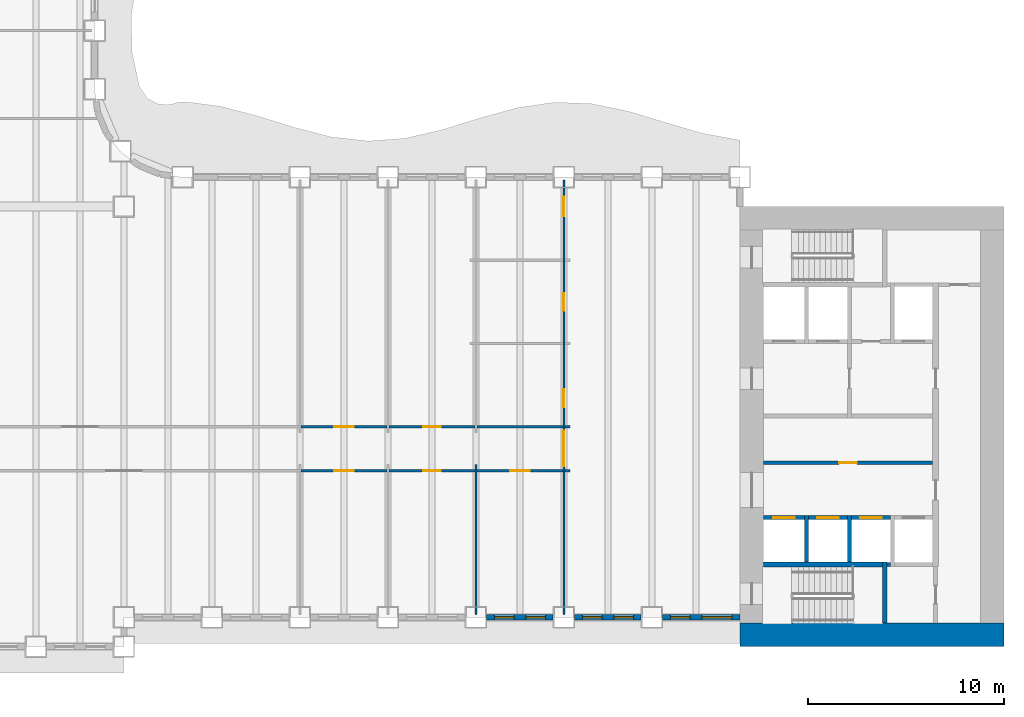
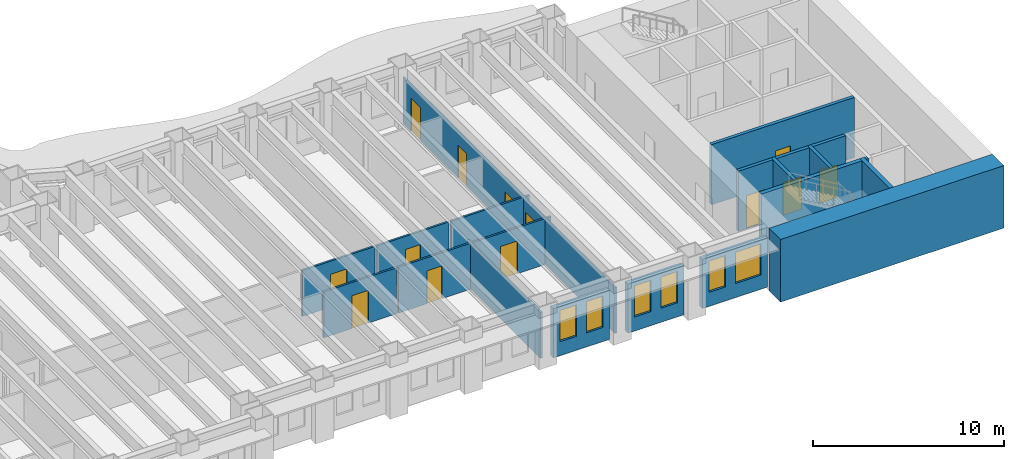
# One storey, part 5 of 15: 23 walls, 13 doors, 6 windows, 19 openings.
"""IFC4 building model written with IfcOpenShell, lengths in metres."""

from ifc_helpers import new_model, si_unit, direction, frame, frame_2d, origin, place, context, subcontext, project, spatial, rectangle, extrude, material, layer, layer_set, type_object, element, fill, save


model = new_model("IFC4")

# Units and contexts
model_context = context("Model", 3, precision=1e-05, world=origin(), true_north=direction((0.0, 1.0)))
body_context = subcontext(model_context, "Body", "Model", "MODEL_VIEW")
ifc_project = project(units=[si_unit("LENGTHUNIT", "METRE"), si_unit("AREAUNIT", "SQUARE_METRE"), si_unit("VOLUMEUNIT", "CUBIC_METRE"), si_unit("PLANEANGLEUNIT", "RADIAN"), si_unit("MASSUNIT", "GRAM", prefix="KILO")], contexts=[model_context])

# Site, building, storey
site_placement = place(None, origin())
site = spatial("IfcSite", under=ifc_project, at=site_placement, CompositionType="ELEMENT")
building_placement = place(site_placement, origin())
building = spatial("IfcBuilding", under=site, at=building_placement, Name="Sennacour Bend Tower", CompositionType="ELEMENT")
storey_placement = place(building_placement, frame((0.0, 0.0, 65.0)))
storey = spatial("IfcBuildingStorey", under=building, at=storey_placement, Name="L14", CompositionType="ELEMENT", Elevation=65.0)

# Walls
ifc_material_1 = material(Name="Concrete C80/95", Category="concrete")
ifc_layer_1 = layer(ifc_material_1, 1.199951171875, Name="Concrete C80/95", Category="concrete")
ifc_layer_set_1 = layer_set([ifc_layer_1], Name="Concrete C80/95")
wall_type_1 = type_object("IfcWallType", Name="Core wall 1200 C80/95", PredefinedType="SHEAR", material=ifc_layer_set_1)
wall_1_placement = place(storey_placement, frame((67.5, 0.60009765625, -0.14990234375), z_axis=(0.0, 0.0, 1.0), x_axis=(-1.0, 0.0, 0.0)))
element("IfcWall", 1, at=wall_1_placement, inside=storey, type_object=wall_type_1, Name="Core A wall L14 S", PredefinedType="SHEAR", context=body_context, shape_type="SweptSolid", body=[
    extrude(rectangle(XDim=13.5, YDim=1.199951171875, at=frame_2d((6.75, 0.0))), origin(), (0.0, 0.0, 1.0), 4.0),
])
ifc_material_2 = material(Name="Plasterboard partition on steel studs", Category="steel")
ifc_layer_2 = layer(ifc_material_2, 0.1201171875, Name="Plasterboard partition on steel studs", Category="steel")
ifc_layer_set_2 = layer_set([ifc_layer_2], Name="Plasterboard partition on steel studs")
wall_type_2 = type_object("IfcWallType", Name="Partition 120", PredefinedType="PARTITIONING", material=ifc_layer_set_2)
wall_2_placement = place(storey_placement, frame((40.5, 1.64990234375, 0.0), z_axis=(0.0, 0.0, 1.0), x_axis=(0.0, 1.0, 0.0)))
element("IfcWall", 2, at=wall_2_placement, inside=storey, type_object=wall_type_2, Name="P-L14-W027a", PredefinedType="PARTITIONING", context=body_context, shape_type="SweptSolid", body=[
    extrude(rectangle(XDim=7.650146484375, YDim=0.1201171875, at=frame_2d((3.8251953125, 0.0))), origin(), (0.0, 0.0, 1.0), 2.93798828125),
])

# Wall, opening, door
wall_3_placement = place(storey_placement, frame((31.56005859375, 9.0, 0.0), z_axis=(0.0, 0.0, 1.0), x_axis=(1.0, 0.0, 0.0)))
wall_3 = element("IfcWall", 3, at=wall_3_placement, inside=storey, type_object=wall_type_2, Name="P-L14-W051ac", PredefinedType="PARTITIONING", context=body_context, shape_type="SweptSolid", body=[
    extrude(rectangle(XDim=4.3798828125, YDim=0.1201171875, at=frame_2d((2.18994140625, 0.0))), origin(), (0.0, 0.0, 1.0), 2.93798828125),
])
opening_1_placement = place(wall_3_placement, frame((1.68994140625, 0.0, 0.0)))
opening_1 = element("IfcOpeningElement", 4, at=opening_1_placement, cuts=wall_3, Name="Opening MD2", PredefinedType="OPENING", context=body_context, shape_type="SweptSolid", body=[
    extrude(rectangle(XDim=1.0, YDim=2.10009765625, at=frame_2d((0.5, 1.050048828125))), frame((0.0, 0.070068359375, 0.0), z_axis=(0.0, -1.0, 0.0), x_axis=(1.0, 0.0, 0.0)), (0.0, 0.0, 1.0), 0.14013671875),
])
ifc_material_3 = material(Name="Timber", Category="wood")
door_type_1 = type_object("IfcDoorType", Name="DR-MEETING-1000", OperationType="NOTDEFINED", PredefinedType="DOOR", material=ifc_material_3)
door_1_placement = place(opening_1_placement, origin())
door_1 = element("IfcDoor", 5, at=door_1_placement, inside=storey, type_object=door_type_1, Name="Door", OperationType="SINGLE_SWING_LEFT", OverallHeight=2.10009765625, OverallWidth=1.0, PredefinedType="DOOR", context=body_context, shape_type="SweptSolid", body=[
    extrude(rectangle(XDim=1.0, YDim=2.10009765625, at=frame_2d((0.5, 1.050048828125))), frame((0.0, 0.02490234375, 0.0), z_axis=(0.0, -1.0, 0.0), x_axis=(1.0, 0.0, 0.0)), (0.0, 0.0, 1.0), 0.050048828125),
])
fill(opening_1, door_1)

wall_4_placement = place(storey_placement, frame((40.56005859375, 9.0, 0.0), z_axis=(0.0, 0.0, 1.0), x_axis=(1.0, 0.0, 0.0)))
wall_4 = element("IfcWall", 6, at=wall_4_placement, inside=storey, type_object=wall_type_2, Name="P-L14-W051ae", PredefinedType="PARTITIONING", context=body_context, shape_type="SweptSolid", body=[
    extrude(rectangle(XDim=4.3798828125, YDim=0.1201171875, at=frame_2d((2.18994140625, 0.0))), origin(), (0.0, 0.0, 1.0), 2.93798828125),
])
opening_2_placement = place(wall_4_placement, frame((1.68994140625, 0.0, 0.0)))
opening_2 = element("IfcOpeningElement", 7, at=opening_2_placement, cuts=wall_4, Name="Opening OD2", PredefinedType="OPENING", context=body_context, shape_type="SweptSolid", body=[
    extrude(rectangle(XDim=1.0, YDim=2.10009765625, at=frame_2d((0.5, 1.050048828125))), frame((0.0, 0.070068359375, 0.0), z_axis=(0.0, -1.0, 0.0), x_axis=(1.0, 0.0, 0.0)), (0.0, 0.0, 1.0), 0.14013671875),
])
door_type_2 = type_object("IfcDoorType", Name="DR-OFFICE-1000", OperationType="NOTDEFINED", PredefinedType="DOOR", material=ifc_material_3)
door_2_placement = place(opening_2_placement, origin())
door_2 = element("IfcDoor", 8, at=door_2_placement, inside=storey, type_object=door_type_2, Name="Door", OperationType="SINGLE_SWING_LEFT", OverallHeight=2.10009765625, OverallWidth=1.0, PredefinedType="DOOR", context=body_context, shape_type="SweptSolid", body=[
    extrude(rectangle(XDim=1.0, YDim=2.10009765625, at=frame_2d((0.5, 1.050048828125))), frame((0.0, 0.02490234375, 0.0), z_axis=(0.0, -1.0, 0.0), x_axis=(1.0, 0.0, 0.0)), (0.0, 0.0, 1.0), 0.050048828125),
])
fill(opening_2, door_2)

# Wall
wall_5_placement = place(storey_placement, frame((45.06005859375, 9.0, 0.0), z_axis=(0.0, 0.0, 1.0), x_axis=(1.0, 0.0, 0.0)))
element("IfcWall", 9, at=wall_5_placement, inside=storey, type_object=wall_type_2, Name="P-L14-W051af", PredefinedType="PARTITIONING", context=body_context, shape_type="SweptSolid", body=[
    extrude(rectangle(XDim=0.239990234375, YDim=0.1201171875, at=frame_2d((0.1201171875, 0.0))), origin(), (0.0, 0.0, 1.0), 2.93798828125),
])

# Wall, opening, door
wall_6_placement = place(storey_placement, frame((31.56005859375, 11.25, 0.0), z_axis=(0.0, 0.0, 1.0), x_axis=(1.0, 0.0, 0.0)))
wall_6 = element("IfcWall", 10, at=wall_6_placement, inside=storey, type_object=wall_type_2, Name="P-L14-W053ad", PredefinedType="PARTITIONING", context=body_context, shape_type="SweptSolid", body=[
    extrude(rectangle(XDim=4.3798828125, YDim=0.1201171875, at=frame_2d((2.18994140625, 0.0))), origin(), (0.0, 0.0, 1.0), 2.93798828125),
])
opening_3_placement = place(wall_6_placement, frame((1.68994140625, 0.0, 0.0)))
opening_3 = element("IfcOpeningElement", 11, at=opening_3_placement, cuts=wall_6, Name="Opening OD2", PredefinedType="OPENING", context=body_context, shape_type="SweptSolid", body=[
    extrude(rectangle(XDim=1.0, YDim=2.10009765625, at=frame_2d((0.5, 1.050048828125))), frame((0.0, 0.070068359375, 0.0), z_axis=(0.0, -1.0, 0.0), x_axis=(1.0, 0.0, 0.0)), (0.0, 0.0, 1.0), 0.14013671875),
])
door_3_placement = place(opening_3_placement, origin())
door_3 = element("IfcDoor", 12, at=door_3_placement, inside=storey, type_object=door_type_2, Name="Door", OperationType="SINGLE_SWING_LEFT", OverallHeight=2.10009765625, OverallWidth=1.0, PredefinedType="DOOR", context=body_context, shape_type="SweptSolid", body=[
    extrude(rectangle(XDim=1.0, YDim=2.10009765625, at=frame_2d((0.5, 1.050048828125))), frame((0.0, 0.02490234375, 0.0), z_axis=(0.0, -1.0, 0.0), x_axis=(1.0, 0.0, 0.0)), (0.0, 0.0, 1.0), 0.050048828125),
])
fill(opening_3, door_3)

# Walls
wall_7_placement = place(storey_placement, frame((40.56005859375, 11.25, 0.0), z_axis=(0.0, 0.0, 1.0), x_axis=(1.0, 0.0, 0.0)))
element("IfcWall", 13, at=wall_7_placement, inside=storey, type_object=wall_type_2, Name="P-L14-W053af", PredefinedType="PARTITIONING", context=body_context, shape_type="SweptSolid", body=[
    extrude(rectangle(XDim=4.3798828125, YDim=0.1201171875, at=frame_2d((2.18994140625, 0.0))), origin(), (0.0, 0.0, 1.0), 2.93798828125),
])
wall_8_placement = place(storey_placement, frame((45.06005859375, 11.25, 0.0), z_axis=(0.0, 0.0, 1.0), x_axis=(1.0, 0.0, 0.0)))
element("IfcWall", 14, at=wall_8_placement, inside=storey, type_object=wall_type_2, Name="P-L14-W053ag", PredefinedType="PARTITIONING", context=body_context, shape_type="SweptSolid", body=[
    extrude(rectangle(XDim=0.239990234375, YDim=0.1201171875, at=frame_2d((0.1201171875, 0.0))), origin(), (0.0, 0.0, 1.0), 2.93798828125),
])

# Wall, openings, doors
ifc_layer_3 = layer(ifc_material_2, 0.1201171875, Name="Plasterboard partition on steel studs", Category="steel")
ifc_layer_set_3 = layer_set([ifc_layer_3], Name="Plasterboard partition on steel studs")
wall_type_3 = type_object("IfcWallType", Name="Partition 120 EI 30", PredefinedType="PARTITIONING", material=ifc_layer_set_3)
wall_9_placement = place(storey_placement, frame((45.0, 1.64990234375, 0.0), z_axis=(0.0, 0.0, 1.0), x_axis=(0.0, 1.0, 0.0)))
wall_9 = element("IfcWall", 15, at=wall_9_placement, inside=storey, type_object=wall_type_3, Name="P-L14-W029a", PredefinedType="PARTITIONING", context=body_context, shape_type="SweptSolid", body=[
    extrude(rectangle(XDim=22.2001953125, YDim=0.1201171875, at=frame_2d((11.10009765625, 0.0))), origin(), (0.0, 0.0, 1.0), 2.93798828125),
])
opening_4_placement = place(wall_9_placement, frame((7.5751953125, 0.0, 0.0)))
opening_4 = element("IfcOpeningElement", 16, at=opening_4_placement, cuts=wall_9, Name="Opening KD3", PredefinedType="OPENING", context=body_context, shape_type="SweptSolid", body=[
    extrude(rectangle(XDim=1.800048828125, YDim=2.10009765625, at=frame_2d((0.89990234375, 1.050048828125))), frame((0.0, 0.070068359375, 0.0), z_axis=(0.0, -1.0, 0.0), x_axis=(1.0, 0.0, 0.0)), (0.0, 0.0, 1.0), 0.14013671875),
])
opening_5_placement = place(wall_9_placement, frame((10.60009765625, 0.0, 0.0)))
opening_5 = element("IfcOpeningElement", 17, at=opening_5_placement, cuts=wall_9, Name="Opening WD", PredefinedType="OPENING", context=body_context, shape_type="SweptSolid", body=[
    extrude(rectangle(XDim=0.89990234375, YDim=2.10009765625, at=frame_2d((0.449951171875, 1.050048828125))), frame((0.0, 0.070068359375, 0.0), z_axis=(0.0, -1.0, 0.0), x_axis=(1.0, 0.0, 0.0)), (0.0, 0.0, 1.0), 0.14013671875),
])
opening_6_placement = place(wall_9_placement, frame((15.525146484375, 0.0, 0.0)))
opening_6 = element("IfcOpeningElement", 18, at=opening_6_placement, cuts=wall_9, Name="Opening WD", PredefinedType="OPENING", context=body_context, shape_type="SweptSolid", body=[
    extrude(rectangle(XDim=0.89990234375, YDim=2.10009765625, at=frame_2d((0.449951171875, 1.050048828125))), frame((0.0, 0.070068359375, 0.0), z_axis=(0.0, -1.0, 0.0), x_axis=(1.0, 0.0, 0.0)), (0.0, 0.0, 1.0), 0.14013671875),
])
opening_7_placement = place(wall_9_placement, frame((20.35009765625, 0.0, 0.0)))
opening_7 = element("IfcOpeningElement", 19, at=opening_7_placement, cuts=wall_9, Name="Opening AD", PredefinedType="OPENING", context=body_context, shape_type="SweptSolid", body=[
    extrude(rectangle(XDim=1.0, YDim=2.10009765625, at=frame_2d((0.5, 1.050048828125))), frame((0.0, 0.070068359375, 0.0), z_axis=(0.0, -1.0, 0.0), x_axis=(1.0, 0.0, 0.0)), (0.0, 0.0, 1.0), 0.14013671875),
])
door_type_3 = type_object("IfcDoorType", Name="DR-ACC-WC-1000", OperationType="NOTDEFINED", PredefinedType="DOOR", material=ifc_material_3)
door_4_placement = place(opening_7_placement, origin())
door_4 = element("IfcDoor", 20, at=door_4_placement, inside=storey, type_object=door_type_3, Name="Door", OperationType="SINGLE_SWING_RIGHT", OverallHeight=2.10009765625, OverallWidth=1.0, PredefinedType="DOOR", context=body_context, shape_type="SweptSolid", body=[
    extrude(rectangle(XDim=1.0, YDim=2.10009765625, at=frame_2d((0.5, 1.050048828125))), frame((0.0, 0.02490234375, 0.0), z_axis=(0.0, -1.0, 0.0), x_axis=(1.0, 0.0, 0.0)), (0.0, 0.0, 1.0), 0.050048828125),
])
fill(opening_7, door_4)
ifc_material_4 = material(Name="Painted steel", Category="steel")
door_type_4 = type_object("IfcDoorType", Name="DR-CORRIDOR-1800", OperationType="NOTDEFINED", PredefinedType="DOOR", material=ifc_material_4)
door_5_placement = place(opening_4_placement, origin())
door_5 = element("IfcDoor", 21, at=door_5_placement, inside=storey, type_object=door_type_4, Name="Door", OperationType="DOUBLE_DOOR_SINGLE_SWING", OverallHeight=2.10009765625, OverallWidth=1.800048828125, PredefinedType="DOOR", context=body_context, shape_type="SweptSolid", body=[
    extrude(rectangle(XDim=1.800048828125, YDim=2.10009765625, at=frame_2d((0.89990234375, 1.050048828125))), frame((0.0, 0.02490234375, 0.0), z_axis=(0.0, -1.0, 0.0), x_axis=(1.0, 0.0, 0.0)), (0.0, 0.0, 1.0), 0.050048828125),
])
fill(opening_4, door_5)
door_type_5 = type_object("IfcDoorType", Name="DR-WC-900", OperationType="NOTDEFINED", PredefinedType="DOOR", material=ifc_material_3)
door_6_placement = place(opening_5_placement, origin())
door_6 = element("IfcDoor", 22, at=door_6_placement, inside=storey, type_object=door_type_5, Name="Door", OperationType="SINGLE_SWING_LEFT", OverallHeight=2.10009765625, OverallWidth=0.89990234375, PredefinedType="DOOR", context=body_context, shape_type="SweptSolid", body=[
    extrude(rectangle(XDim=0.89990234375, YDim=2.10009765625, at=frame_2d((0.449951171875, 1.050048828125))), frame((0.0, 0.02490234375, 0.0), z_axis=(0.0, -1.0, 0.0), x_axis=(1.0, 0.0, 0.0)), (0.0, 0.0, 1.0), 0.050048828125),
])
fill(opening_5, door_6)
door_7_placement = place(opening_6_placement, origin())
door_7 = element("IfcDoor", 23, at=door_7_placement, inside=storey, type_object=door_type_5, Name="Door", OperationType="SINGLE_SWING_RIGHT", OverallHeight=2.10009765625, OverallWidth=0.89990234375, PredefinedType="DOOR", context=body_context, shape_type="SweptSolid", body=[
    extrude(rectangle(XDim=0.89990234375, YDim=2.10009765625, at=frame_2d((0.449951171875, 1.050048828125))), frame((0.0, 0.02490234375, 0.0), z_axis=(0.0, -1.0, 0.0), x_axis=(1.0, 0.0, 0.0)), (0.0, 0.0, 1.0), 0.050048828125),
])
fill(opening_6, door_7)

# Wall, opening, door
ifc_layer_4 = layer(ifc_material_2, 0.1201171875, Name="Plasterboard partition on steel studs", Category="steel")
ifc_layer_set_4 = layer_set([ifc_layer_4], Name="Plasterboard partition on steel studs")
wall_type_4 = type_object("IfcWallType", Name="Partition 120 EI 60", PredefinedType="PARTITIONING", material=ifc_layer_set_4)
wall_10_placement = place(storey_placement, frame((36.06005859375, 9.0, 0.0), z_axis=(0.0, 0.0, 1.0), x_axis=(1.0, 0.0, 0.0)))
wall_10 = element("IfcWall", 24, at=wall_10_placement, inside=storey, type_object=wall_type_4, Name="P-L14-W051ad", PredefinedType="PARTITIONING", context=body_context, shape_type="SweptSolid", body=[
    extrude(rectangle(XDim=4.3798828125, YDim=0.1201171875, at=frame_2d((2.18994140625, 0.0))), origin(), (0.0, 0.0, 1.0), 2.93798828125),
])
opening_8_placement = place(wall_10_placement, frame((1.739990234375, 0.0, 0.0)))
opening_8 = element("IfcOpeningElement", 25, at=opening_8_placement, cuts=wall_10, Name="Opening SV", PredefinedType="OPENING", context=body_context, shape_type="SweptSolid", body=[
    extrude(rectangle(XDim=0.89990234375, YDim=2.10009765625, at=frame_2d((0.449951171875, 1.050048828125))), frame((0.0, 0.070068359375, 0.0), z_axis=(0.0, -1.0, 0.0), x_axis=(1.0, 0.0, 0.0)), (0.0, 0.0, 1.0), 0.14013671875),
])
door_type_6 = type_object("IfcDoorType", Name="DR-SERVICE-900", OperationType="NOTDEFINED", PredefinedType="DOOR", material=ifc_material_4)
door_8_placement = place(opening_8_placement, origin())
door_8 = element("IfcDoor", 26, at=door_8_placement, inside=storey, type_object=door_type_6, Name="Door", OperationType="SINGLE_SWING_LEFT", OverallHeight=2.10009765625, OverallWidth=0.89990234375, PredefinedType="DOOR", context=body_context, shape_type="SweptSolid", body=[
    extrude(rectangle(XDim=0.89990234375, YDim=2.10009765625, at=frame_2d((0.449951171875, 1.050048828125))), frame((0.0, 0.02490234375, 0.0), z_axis=(0.0, -1.0, 0.0), x_axis=(1.0, 0.0, 0.0)), (0.0, 0.0, 1.0), 0.050048828125),
])
fill(opening_8, door_8)

wall_11_placement = place(storey_placement, frame((36.06005859375, 11.25, 0.0), z_axis=(0.0, 0.0, 1.0), x_axis=(1.0, 0.0, 0.0)))
wall_11 = element("IfcWall", 27, at=wall_11_placement, inside=storey, type_object=wall_type_4, Name="P-L14-W053ae", PredefinedType="PARTITIONING", context=body_context, shape_type="SweptSolid", body=[
    extrude(rectangle(XDim=4.3798828125, YDim=0.1201171875, at=frame_2d((2.18994140625, 0.0))), origin(), (0.0, 0.0, 1.0), 2.93798828125),
])
opening_9_placement = place(wall_11_placement, frame((1.739990234375, 0.0, 0.0)))
opening_9 = element("IfcOpeningElement", 28, at=opening_9_placement, cuts=wall_11, Name="Opening SV", PredefinedType="OPENING", context=body_context, shape_type="SweptSolid", body=[
    extrude(rectangle(XDim=0.89990234375, YDim=2.10009765625, at=frame_2d((0.449951171875, 1.050048828125))), frame((0.0, 0.070068359375, 0.0), z_axis=(0.0, -1.0, 0.0), x_axis=(1.0, 0.0, 0.0)), (0.0, 0.0, 1.0), 0.14013671875),
])
door_9_placement = place(opening_9_placement, origin())
door_9 = element("IfcDoor", 29, at=door_9_placement, inside=storey, type_object=door_type_6, Name="Door", OperationType="SINGLE_SWING_LEFT", OverallHeight=2.10009765625, OverallWidth=0.89990234375, PredefinedType="DOOR", context=body_context, shape_type="SweptSolid", body=[
    extrude(rectangle(XDim=0.89990234375, YDim=2.10009765625, at=frame_2d((0.449951171875, 1.050048828125))), frame((0.0, 0.02490234375, 0.0), z_axis=(0.0, -1.0, 0.0), x_axis=(1.0, 0.0, 0.0)), (0.0, 0.0, 1.0), 0.050048828125),
])
fill(opening_9, door_9)

ifc_material_5 = material(Name="Fire-rated plasterboard partition on steel studs", Category="steel")
ifc_layer_5 = layer(ifc_material_5, 0.199951171875, Name="Fire-rated plasterboard partition on steel studs", Category="steel")
ifc_layer_set_5 = layer_set([ifc_layer_5], Name="Fire-rated plasterboard partition on steel studs")
wall_type_5 = type_object("IfcWallType", Name="Rated partition 200", PredefinedType="PARTITIONING", material=ifc_layer_set_5)
wall_12_placement = place(storey_placement, frame((55.199951171875, 9.39990234375, 0.0), z_axis=(0.0, 0.0, 1.0), x_axis=(1.0, 0.0, 0.0)))
wall_12 = element("IfcWall", 30, at=wall_12_placement, inside=storey, type_object=wall_type_5, Name="P-L14-W052", PredefinedType="PARTITIONING", context=body_context, shape_type="SweptSolid", body=[
    extrude(rectangle(XDim=8.650146484375, YDim=0.199951171875, at=frame_2d((4.3251953125, 0.0))), origin(), (0.0, 0.0, 1.0), 3.85009765625),
])
opening_10_placement = place(wall_12_placement, frame((3.875, 0.0, 0.0)))
opening_10 = element("IfcOpeningElement", 31, at=opening_10_placement, cuts=wall_12, Name="Opening SV", PredefinedType="OPENING", context=body_context, shape_type="SweptSolid", body=[
    extrude(rectangle(XDim=0.89990234375, YDim=2.10009765625, at=frame_2d((0.449951171875, 1.050048828125))), frame((0.0, 0.10986328125, 0.0), z_axis=(0.0, -1.0, 0.0), x_axis=(1.0, 0.0, 0.0)), (0.0, 0.0, 1.0), 0.219970703125),
])
door_10_placement = place(opening_10_placement, origin())
door_10 = element("IfcDoor", 32, at=door_10_placement, inside=storey, type_object=door_type_6, Name="Door", OperationType="SINGLE_SWING_LEFT", OverallHeight=2.10009765625, OverallWidth=0.89990234375, PredefinedType="DOOR", context=body_context, shape_type="SweptSolid", body=[
    extrude(rectangle(XDim=0.89990234375, YDim=2.10009765625, at=frame_2d((0.449951171875, 1.050048828125))), frame((0.0, 0.02490234375, 0.0), z_axis=(0.0, -1.0, 0.0), x_axis=(1.0, 0.0, 0.0)), (0.0, 0.0, 1.0), 0.050048828125),
])
fill(opening_10, door_10)

# Wall, openings, windows
ifc_material_6 = material(Name="Warm limestone cladding", Category="masonry")
ifc_layer_6 = layer(ifc_material_6, 0.050048828125, Name="Warm limestone cladding", Category="masonry")
ifc_material_7 = material(Name="Precast concrete C40/50", Category="concrete")
ifc_layer_7 = layer(ifc_material_7, 0.25, Name="Precast concrete C40/50", Category="concrete")
ifc_layer_set_6 = layer_set([ifc_layer_6, ifc_layer_7], Name="Precast concrete C40/50 with limestone cladding")
wall_type_6 = type_object("IfcWallType", Name="STONE-CLAD PRECAST SPANDREL 300", PredefinedType="STANDARD", material=ifc_layer_set_6)
wall_13_placement = place(storey_placement, frame((41.050048828125, 1.5, 0.0), z_axis=(0.0, 0.0, 1.0), x_axis=(1.0, 0.0, 0.0)))
wall_13 = element("IfcWall", 33, at=wall_13_placement, inside=storey, type_object=wall_type_6, Name="Stone spandrel and pier wall L14 02.04", PredefinedType="STANDARD", context=body_context, shape_type="SweptSolid", body=[
    extrude(rectangle(XDim=3.39990234375, YDim=0.300048828125, at=frame_2d((1.699951171875, 0.0))), origin(), (0.0, 0.0, 1.0), 3.14404296875),
])
opening_11_placement = place(wall_13_placement, frame((0.39990234375, 0.0, 0.89990234375)))
opening_11 = element("IfcOpeningElement", 34, at=opening_11_placement, cuts=wall_13, Name="Opening W8", PredefinedType="OPENING", context=body_context, shape_type="SweptSolid", body=[
    extrude(rectangle(XDim=1.0, YDim=2.0, at=frame_2d((0.5, 1.0))), frame((0.0, 0.16015625, 0.0), z_axis=(0.0, -1.0, 0.0), x_axis=(1.0, 0.0, 0.0)), (0.0, 0.0, 1.0), 0.320068359375),
])
opening_12_placement = place(wall_13_placement, frame((2.0, 0.0, 0.89990234375)))
opening_12 = element("IfcOpeningElement", 35, at=opening_12_placement, cuts=wall_13, Name="Opening W8", PredefinedType="OPENING", context=body_context, shape_type="SweptSolid", body=[
    extrude(rectangle(XDim=1.0, YDim=2.0, at=frame_2d((0.5, 1.0))), frame((0.0, 0.16015625, 0.0), z_axis=(0.0, -1.0, 0.0), x_axis=(1.0, 0.0, 0.0)), (0.0, 0.0, 1.0), 0.320068359375),
])
ifc_material_8 = material(Name="Clear low-emissivity glass", Category="glass")
window_type_1 = type_object("IfcWindowType", Name="WIN-RIBBON-1000x2000", PartitioningType="SINGLE_PANEL", PredefinedType="WINDOW", material=ifc_material_8)
window_1_placement = place(opening_11_placement, origin())
window_1 = element("IfcWindow", 36, at=window_1_placement, inside=storey, type_object=window_type_1, Name="Ribbon window L14 02.04.0", OverallHeight=2.0, OverallWidth=1.0, PartitioningType="SINGLE_PANEL", PredefinedType="WINDOW", context=body_context, shape_type="SweptSolid", body=[
    extrude(rectangle(XDim=1.0, YDim=2.0, at=frame_2d((0.5, 1.0))), frame((0.0, 0.030029296875, 0.0), z_axis=(0.0, -1.0, 0.0), x_axis=(1.0, 0.0, 0.0)), (0.0, 0.0, 1.0), 0.06005859375),
])
fill(opening_11, window_1)
window_2_placement = place(opening_12_placement, origin())
window_2 = element("IfcWindow", 37, at=window_2_placement, inside=storey, type_object=window_type_1, Name="Ribbon window L14 02.04.1", OverallHeight=2.0, OverallWidth=1.0, PartitioningType="SINGLE_PANEL", PredefinedType="WINDOW", context=body_context, shape_type="SweptSolid", body=[
    extrude(rectangle(XDim=1.0, YDim=2.0, at=frame_2d((0.5, 1.0))), frame((0.0, 0.030029296875, 0.0), z_axis=(0.0, -1.0, 0.0), x_axis=(1.0, 0.0, 0.0)), (0.0, 0.0, 1.0), 0.06005859375),
])
fill(opening_12, window_2)

wall_14_placement = place(storey_placement, frame((45.550048828125, 1.5, 0.0), z_axis=(0.0, 0.0, 1.0), x_axis=(1.0, 0.0, 0.0)))
wall_14 = element("IfcWall", 38, at=wall_14_placement, inside=storey, type_object=wall_type_6, Name="Stone spandrel and pier wall L14 02.05", PredefinedType="STANDARD", context=body_context, shape_type="SweptSolid", body=[
    extrude(rectangle(XDim=3.39990234375, YDim=0.300048828125, at=frame_2d((1.699951171875, 0.0))), origin(), (0.0, 0.0, 1.0), 3.14404296875),
])
opening_13_placement = place(wall_14_placement, frame((0.39990234375, 0.0, 0.89990234375)))
opening_13 = element("IfcOpeningElement", 39, at=opening_13_placement, cuts=wall_14, Name="Opening W8", PredefinedType="OPENING", context=body_context, shape_type="SweptSolid", body=[
    extrude(rectangle(XDim=1.0, YDim=2.0, at=frame_2d((0.5, 1.0))), frame((0.0, 0.16015625, 0.0), z_axis=(0.0, -1.0, 0.0), x_axis=(1.0, 0.0, 0.0)), (0.0, 0.0, 1.0), 0.320068359375),
])
opening_14_placement = place(wall_14_placement, frame((2.0, 0.0, 0.89990234375)))
opening_14 = element("IfcOpeningElement", 40, at=opening_14_placement, cuts=wall_14, Name="Opening W8", PredefinedType="OPENING", context=body_context, shape_type="SweptSolid", body=[
    extrude(rectangle(XDim=1.0, YDim=2.0, at=frame_2d((0.5, 1.0))), frame((0.0, 0.16015625, 0.0), z_axis=(0.0, -1.0, 0.0), x_axis=(1.0, 0.0, 0.0)), (0.0, 0.0, 1.0), 0.320068359375),
])
window_3_placement = place(opening_13_placement, origin())
window_3 = element("IfcWindow", 41, at=window_3_placement, inside=storey, type_object=window_type_1, Name="Ribbon window L14 02.05.0", OverallHeight=2.0, OverallWidth=1.0, PartitioningType="SINGLE_PANEL", PredefinedType="WINDOW", context=body_context, shape_type="SweptSolid", body=[
    extrude(rectangle(XDim=1.0, YDim=2.0, at=frame_2d((0.5, 1.0))), frame((0.0, 0.030029296875, 0.0), z_axis=(0.0, -1.0, 0.0), x_axis=(1.0, 0.0, 0.0)), (0.0, 0.0, 1.0), 0.06005859375),
])
fill(opening_13, window_3)
window_4_placement = place(opening_14_placement, origin())
window_4 = element("IfcWindow", 42, at=window_4_placement, inside=storey, type_object=window_type_1, Name="Ribbon window L14 02.05.1", OverallHeight=2.0, OverallWidth=1.0, PartitioningType="SINGLE_PANEL", PredefinedType="WINDOW", context=body_context, shape_type="SweptSolid", body=[
    extrude(rectangle(XDim=1.0, YDim=2.0, at=frame_2d((0.5, 1.0))), frame((0.0, 0.030029296875, 0.0), z_axis=(0.0, -1.0, 0.0), x_axis=(1.0, 0.0, 0.0)), (0.0, 0.0, 1.0), 0.06005859375),
])
fill(opening_14, window_4)

wall_15_placement = place(storey_placement, frame((50.050048828125, 1.5, 0.0), z_axis=(0.0, 0.0, 1.0), x_axis=(1.0, 0.0, 0.0)))
wall_15 = element("IfcWall", 43, at=wall_15_placement, inside=storey, type_object=wall_type_6, Name="Stone spandrel and pier wall L14 02.06", PredefinedType="STANDARD", context=body_context, shape_type="SweptSolid", body=[
    extrude(rectangle(XDim=3.949951171875, YDim=0.300048828125, at=frame_2d((1.97509765625, 0.0))), origin(), (0.0, 0.0, 1.0), 3.14404296875),
])
opening_15_placement = place(wall_15_placement, frame((0.39990234375, 0.0, 0.89990234375)))
opening_15 = element("IfcOpeningElement", 44, at=opening_15_placement, cuts=wall_15, Name="Opening W8", PredefinedType="OPENING", context=body_context, shape_type="SweptSolid", body=[
    extrude(rectangle(XDim=1.0, YDim=2.0, at=frame_2d((0.5, 1.0))), frame((0.0, 0.16015625, 0.0), z_axis=(0.0, -1.0, 0.0), x_axis=(1.0, 0.0, 0.0)), (0.0, 0.0, 1.0), 0.320068359375),
])
opening_16_placement = place(wall_15_placement, frame((2.0, 0.0, 0.89990234375)))
opening_16 = element("IfcOpeningElement", 45, at=opening_16_placement, cuts=wall_15, Name="Opening W9", PredefinedType="OPENING", context=body_context, shape_type="SweptSolid", body=[
    extrude(rectangle(XDim=1.550048828125, YDim=2.0, at=frame_2d((0.77490234375, 1.0))), frame((0.0, 0.16015625, 0.0), z_axis=(0.0, -1.0, 0.0), x_axis=(1.0, 0.0, 0.0)), (0.0, 0.0, 1.0), 0.320068359375),
])
window_5_placement = place(opening_15_placement, origin())
window_5 = element("IfcWindow", 46, at=window_5_placement, inside=storey, type_object=window_type_1, Name="Ribbon window L14 02.06.0", OverallHeight=2.0, OverallWidth=1.0, PartitioningType="SINGLE_PANEL", PredefinedType="WINDOW", context=body_context, shape_type="SweptSolid", body=[
    extrude(rectangle(XDim=1.0, YDim=2.0, at=frame_2d((0.5, 1.0))), frame((0.0, 0.030029296875, 0.0), z_axis=(0.0, -1.0, 0.0), x_axis=(1.0, 0.0, 0.0)), (0.0, 0.0, 1.0), 0.06005859375),
])
fill(opening_15, window_5)
window_type_2 = type_object("IfcWindowType", Name="WIN-RIBBON-1550x2000", PartitioningType="SINGLE_PANEL", PredefinedType="WINDOW", material=ifc_material_8)
window_6_placement = place(opening_16_placement, origin())
window_6 = element("IfcWindow", 47, at=window_6_placement, inside=storey, type_object=window_type_2, Name="Ribbon window L14 02.06.1", OverallHeight=2.0, OverallWidth=1.550048828125, PartitioningType="SINGLE_PANEL", PredefinedType="WINDOW", context=body_context, shape_type="SweptSolid", body=[
    extrude(rectangle(XDim=1.550048828125, YDim=2.0, at=frame_2d((0.77490234375, 1.0))), frame((0.0, 0.030029296875, 0.0), z_axis=(0.0, -1.0, 0.0), x_axis=(1.0, 0.0, 0.0)), (0.0, 0.0, 1.0), 0.06005859375),
])
fill(opening_16, window_6)

# Walls
ifc_material_9 = material(Name="Concrete C50/60", Category="concrete")
ifc_layer_8 = layer(ifc_material_9, 0.199951171875, Name="Concrete C50/60", Category="concrete")
ifc_layer_set_7 = layer_set([ifc_layer_8], Name="Concrete C50/60")
wall_type_7 = type_object("IfcWallType", Name="Shaft wall 200", PredefinedType="SOLIDWALL", material=ifc_layer_set_7)
for number, where, z_axis, x_axis, name in (
    (48, (57.39990234375, 4.324951171875, 0.0), (0.0, 0.0, 1.0), (0.0, 1.0, 0.0), "P-L14-W031"),
    (49, (59.60009765625, 4.324951171875, 0.0), (0.0, 0.0, 1.0), (0.0, 1.0, 0.0), "P-L14-W033"),
):
    element("IfcWall", number, at=place(storey_placement, frame(where, z_axis=z_axis, x_axis=x_axis)), inside=storey, type_object=wall_type_7, Name=name, PredefinedType="SOLIDWALL", context=body_context, shape_type="SweptSolid", body=[
        extrude(rectangle(XDim=2.375, YDim=0.199951171875, at=frame_2d((1.1875, 0.0))), origin(), (0.0, 0.0, 1.0), 3.85009765625),
    ])
wall_16_placement = place(storey_placement, frame((61.52490234375, 4.199951171875, 0.0), z_axis=(0.0, 0.0, 1.0), x_axis=(1.0, 0.0, 0.0)))
element("IfcWall", 50, at=wall_16_placement, inside=storey, type_object=wall_type_7, Name="P-L14-W049a", PredefinedType="SOLIDWALL", context=body_context, shape_type="SweptSolid", body=[
    extrude(rectangle(XDim=0.175048828125, YDim=0.199951171875, at=frame_2d((0.08740234375, 0.0))), origin(), (0.0, 0.0, 1.0), 3.85009765625),
])

# Wall, opening, door
wall_17_placement = place(storey_placement, frame((55.199951171875, 6.60009765625, 0.0), z_axis=(0.0, 0.0, 1.0), x_axis=(1.0, 0.0, 0.0)))
wall_17 = element("IfcWall", 51, at=wall_17_placement, inside=storey, type_object=wall_type_7, Name="P-L14-W050a", PredefinedType="SOLIDWALL", context=body_context, shape_type="SweptSolid", body=[
    extrude(rectangle(XDim=2.10009765625, YDim=0.199951171875, at=frame_2d((1.050048828125, 0.0))), origin(), (0.0, 0.0, 1.0), 3.85009765625),
])
opening_17_placement = place(wall_17_placement, frame((0.5, 0.0, 0.011962890625)))
opening_17 = element("IfcOpeningElement", 52, at=opening_17_placement, cuts=wall_17, Name="Opening LD", PredefinedType="OPENING", context=body_context, shape_type="SweptSolid", body=[
    extrude(rectangle(XDim=1.10009765625, YDim=2.10009765625, at=frame_2d((0.550048828125, 1.050048828125))), frame((0.0, 0.10986328125, 0.0), z_axis=(0.0, -1.0, 0.0), x_axis=(1.0, 0.0, 0.0)), (0.0, 0.0, 1.0), 0.219970703125),
])
ifc_material_10 = material(Name="Stainless steel", Category="steel")
door_type_7 = type_object("IfcDoorType", Name="DR-LANDING-1100", OperationType="NOTDEFINED", PredefinedType="DOOR", material=ifc_material_10)
door_11_placement = place(opening_17_placement, origin())
door_11 = element("IfcDoor", 53, at=door_11_placement, inside=storey, type_object=door_type_7, Name="Lift landing door LA1", OperationType="SLIDING_TO_LEFT", OverallHeight=2.10009765625, OverallWidth=1.10009765625, PredefinedType="DOOR", context=body_context, shape_type="SweptSolid", body=[
    extrude(rectangle(XDim=1.10009765625, YDim=2.10009765625, at=frame_2d((0.550048828125, 1.050048828125))), frame((0.0, 0.02490234375, 0.0), z_axis=(0.0, -1.0, 0.0), x_axis=(1.0, 0.0, 0.0)), (0.0, 0.0, 1.0), 0.050048828125),
])
fill(opening_17, door_11)

wall_18_placement = place(storey_placement, frame((57.5, 6.60009765625, 0.0), z_axis=(0.0, 0.0, 1.0), x_axis=(1.0, 0.0, 0.0)))
wall_18 = element("IfcWall", 54, at=wall_18_placement, inside=storey, type_object=wall_type_7, Name="P-L14-W050b", PredefinedType="SOLIDWALL", context=body_context, shape_type="SweptSolid", body=[
    extrude(rectangle(XDim=2.0, YDim=0.199951171875, at=frame_2d((1.0, 0.0))), origin(), (0.0, 0.0, 1.0), 3.85009765625),
])
opening_18_placement = place(wall_18_placement, frame((0.449951171875, 0.0, 0.011962890625)))
opening_18 = element("IfcOpeningElement", 55, at=opening_18_placement, cuts=wall_18, Name="Opening LD", PredefinedType="OPENING", context=body_context, shape_type="SweptSolid", body=[
    extrude(rectangle(XDim=1.10009765625, YDim=2.10009765625, at=frame_2d((0.550048828125, 1.050048828125))), frame((0.0, 0.10986328125, 0.0), z_axis=(0.0, -1.0, 0.0), x_axis=(1.0, 0.0, 0.0)), (0.0, 0.0, 1.0), 0.219970703125),
])
door_12_placement = place(opening_18_placement, origin())
door_12 = element("IfcDoor", 56, at=door_12_placement, inside=storey, type_object=door_type_7, Name="Lift landing door LA2", OperationType="SLIDING_TO_RIGHT", OverallHeight=2.10009765625, OverallWidth=1.10009765625, PredefinedType="DOOR", context=body_context, shape_type="SweptSolid", body=[
    extrude(rectangle(XDim=1.10009765625, YDim=2.10009765625, at=frame_2d((0.550048828125, 1.050048828125))), frame((0.0, 0.02490234375, 0.0), z_axis=(0.0, -1.0, 0.0), x_axis=(1.0, 0.0, 0.0)), (0.0, 0.0, 1.0), 0.050048828125),
])
fill(opening_18, door_12)

wall_19_placement = place(storey_placement, frame((59.699951171875, 6.60009765625, 0.0), z_axis=(0.0, 0.0, 1.0), x_axis=(1.0, 0.0, 0.0)))
wall_19 = element("IfcWall", 57, at=wall_19_placement, inside=storey, type_object=wall_type_7, Name="P-L14-W050c", PredefinedType="SOLIDWALL", context=body_context, shape_type="SweptSolid", body=[
    extrude(rectangle(XDim=2.0, YDim=0.199951171875, at=frame_2d((1.0, 0.0))), origin(), (0.0, 0.0, 1.0), 3.85009765625),
])
opening_19_placement = place(wall_19_placement, frame((0.449951171875, 0.0, 0.011962890625)))
opening_19 = element("IfcOpeningElement", 58, at=opening_19_placement, cuts=wall_19, Name="Opening LD", PredefinedType="OPENING", context=body_context, shape_type="SweptSolid", body=[
    extrude(rectangle(XDim=1.10009765625, YDim=2.10009765625, at=frame_2d((0.550048828125, 1.050048828125))), frame((0.0, 0.10986328125, 0.0), z_axis=(0.0, -1.0, 0.0), x_axis=(1.0, 0.0, 0.0)), (0.0, 0.0, 1.0), 0.219970703125),
])
door_13_placement = place(opening_19_placement, origin())
door_13 = element("IfcDoor", 59, at=door_13_placement, inside=storey, type_object=door_type_7, Name="Lift landing door LA3", OperationType="SLIDING_TO_LEFT", OverallHeight=2.10009765625, OverallWidth=1.10009765625, PredefinedType="DOOR", context=body_context, shape_type="SweptSolid", body=[
    extrude(rectangle(XDim=1.10009765625, YDim=2.10009765625, at=frame_2d((0.550048828125, 1.050048828125))), frame((0.0, 0.02490234375, 0.0), z_axis=(0.0, -1.0, 0.0), x_axis=(1.0, 0.0, 0.0)), (0.0, 0.0, 1.0), 0.050048828125),
])
fill(opening_19, door_13)

# Walls
ifc_material_11 = material(Name="Concrete C60/75", Category="concrete")
ifc_layer_9 = layer(ifc_material_11, 0.25, Name="Concrete C60/75", Category="concrete")
ifc_layer_set_8 = layer_set([ifc_layer_9], Name="Concrete C60/75")
wall_type_8 = type_object("IfcWallType", Name="Stair wall 250", PredefinedType="SHEAR", material=ifc_layer_set_8)
wall_20_placement = place(storey_placement, frame((61.39990234375, 1.199951171875, 0.0), z_axis=(0.0, 0.0, 1.0), x_axis=(0.0, 1.0, 0.0)))
element("IfcWall", 60, at=wall_20_placement, inside=storey, type_object=wall_type_8, Name="P-L14-W036", PredefinedType="SHEAR", context=body_context, shape_type="SweptSolid", body=[
    extrude(rectangle(XDim=3.125, YDim=0.25, at=frame_2d((1.5625, 0.0))), origin(), (0.0, 0.0, 1.0), 3.85009765625),
])
wall_21_placement = place(storey_placement, frame((55.199951171875, 4.199951171875, 0.0), z_axis=(0.0, 0.0, 1.0), x_axis=(1.0, 0.0, 0.0)))
element("IfcWall", 61, at=wall_21_placement, inside=storey, type_object=wall_type_8, Name="P-L14-W048", PredefinedType="SHEAR", context=body_context, shape_type="SweptSolid", body=[
    extrude(rectangle(XDim=6.074951171875, YDim=0.25, at=frame_2d((3.03759765625, 0.0))), origin(), (0.0, 0.0, 1.0), 3.85009765625),
])

save(model, "model.ifc")
